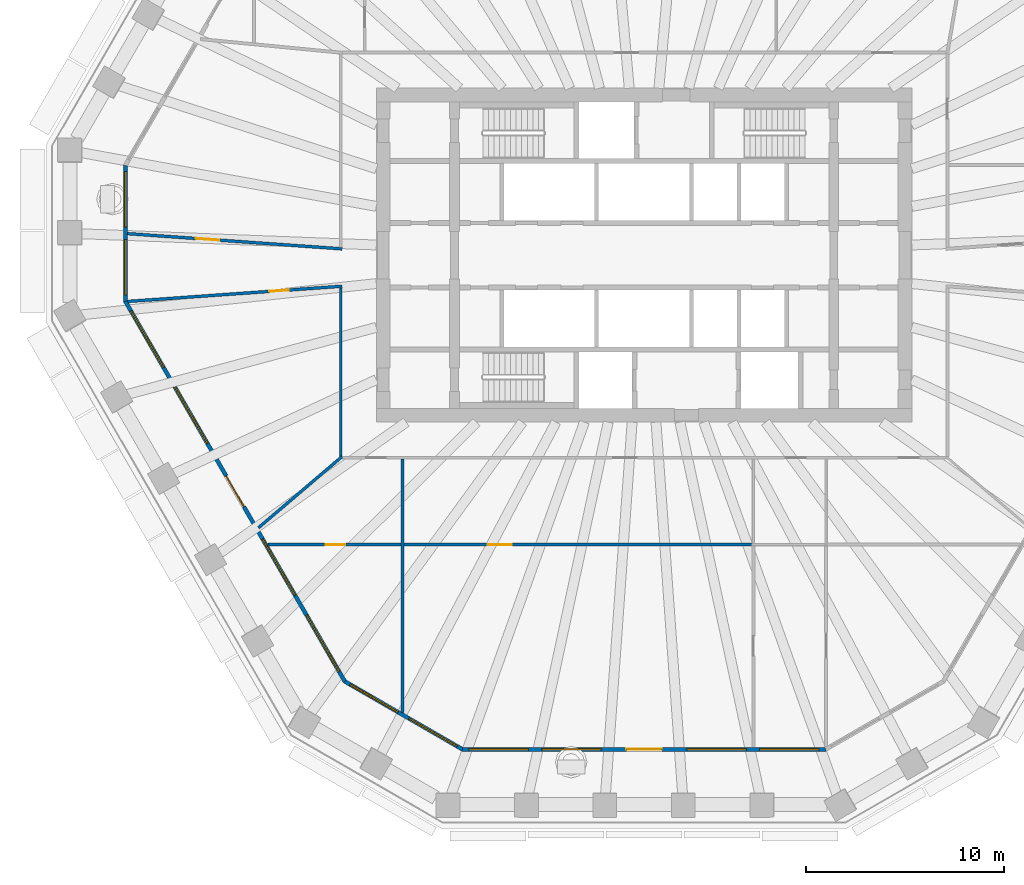
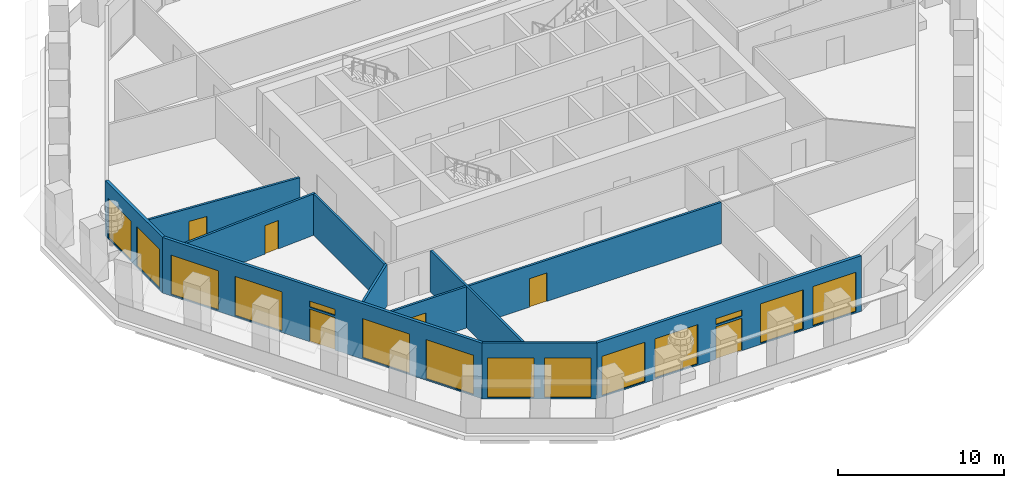
# One storey, part 3 of 12: 14 windows, 10 walls, 6 doors, 20 openings.
"""IFC4 building model written with IfcOpenShell, lengths in metres."""

from ifc_helpers import new_model, si_unit, direction, frame, frame_2d, origin, place, context, subcontext, project, spatial, polyline, rectangle, outline, extrude, material, layer, layer_set, type_object, element, fill, save


model = new_model("IFC4")

# Units and contexts
model_context = context("Model", 3, precision=1e-05, world=origin(), true_north=direction((0.0, 1.0)))
body_context = subcontext(model_context, "Body", "Model", "MODEL_VIEW")
ifc_project = project(units=[si_unit("LENGTHUNIT", "METRE"), si_unit("AREAUNIT", "SQUARE_METRE"), si_unit("VOLUMEUNIT", "CUBIC_METRE"), si_unit("PLANEANGLEUNIT", "RADIAN"), si_unit("MASSUNIT", "GRAM", prefix="KILO")], contexts=[model_context])

# Site, building, storey
site_placement = place(None, origin())
site = spatial("IfcSite", under=ifc_project, at=site_placement, CompositionType="ELEMENT")
building_placement = place(site_placement, origin())
building = spatial("IfcBuilding", under=site, at=building_placement, Name="Frailejon Research Tower", CompositionType="ELEMENT")
storey_placement = place(building_placement, frame((0.0, 0.0, 180.39990234375)))
storey = spatial("IfcBuildingStorey", under=building, at=storey_placement, Name="L39", CompositionType="ELEMENT", Elevation=180.39990234375)

# Wall
ifc_material_1 = material(Name="Gypsum board and masonry partition", Category="masonry")
ifc_layer_1 = layer(ifc_material_1, 0.14990234375)
ifc_layer_set_1 = layer_set([ifc_layer_1], Name="Corridor wall EI 60, gypsum on steel studs 150")
wall_type_1 = type_object("IfcWallType", Name="Corridor wall EI 60, gypsum on steel studs 150", PredefinedType="PARTITIONING", material=ifc_layer_set_1)
wall_1_placement = place(storey_placement, frame((-15.35009765625, -10.175048828125, 0.0), z_axis=(0.0, 0.0, 1.0), x_axis=(0.0, 1.0, 0.0)))
element("IfcWall", 1, at=wall_1_placement, inside=storey, type_object=wall_type_1, Name="T:IW:L39:004", PredefinedType="PARTITIONING", context=body_context, shape_type="SweptSolid", body=[
    extrude(rectangle(XDim=8.524169921875, YDim=0.14990234375, at=frame_2d((4.26220703125, 0.0))), origin(), (0.0, 0.0, 1.0), 3.050048828125),
])

# Wall, opening, door
wall_2_placement = place(storey_placement, frame((-26.151611328125, 1.092041015625, 0.0), z_axis=(0.0, 0.0, 1.0), x_axis=(0.997482737811, -0.070909715615, 0.0)))
wall_2 = element("IfcWall", 2, at=wall_2_placement, inside=storey, type_object=wall_type_1, Name="T:IW:L39:007", PredefinedType="PARTITIONING", context=body_context, shape_type="SweptSolid", body=[
    extrude(rectangle(XDim=10.90380859375, YDim=0.14990234375, at=frame_2d((5.451904296875, 0.0))), origin(), (0.0, 0.0, 1.0), 3.050048828125),
])
opening_1_placement = place(wall_2_placement, frame((3.47509765625, 0.0, 0.0)))
opening_1 = element("IfcOpeningElement", 3, at=opening_1_placement, cuts=wall_2, Name="Opening D1852", PredefinedType="OPENING", context=body_context, shape_type="SweptSolid", body=[
    extrude(rectangle(XDim=1.199951171875, YDim=2.10009765625, at=frame_2d((0.60009765625, 1.050048828125))), frame((0.0, 0.0849609375, 0.0), z_axis=(0.0, -1.0, 0.0), x_axis=(1.0, 0.0, 0.0)), (0.0, 0.0, 1.0), 0.169921875),
])
ifc_material_2 = material(Name="Timber door leaf", Category="wood")
door_type_1 = type_object("IfcDoorType", Name="Door laboratory, timber, vision panel 1200", OperationType="NOTDEFINED", PredefinedType="DOOR", material=ifc_material_2)
door_1_placement = place(opening_1_placement, origin())
door_1 = element("IfcDoor", 4, at=door_1_placement, inside=storey, type_object=door_type_1, Name="D1852", OperationType="DOUBLE_DOOR_SINGLE_SWING", OverallHeight=2.10009765625, OverallWidth=1.199951171875, PredefinedType="DOOR", context=body_context, shape_type="SweptSolid", body=[
    extrude(rectangle(XDim=1.199951171875, YDim=2.10009765625, at=frame_2d((0.60009765625, 1.050048828125))), frame((0.0, 0.02490234375, 0.0), z_axis=(0.0, -1.0, 0.0), x_axis=(1.0, 0.0, 0.0)), (0.0, 0.0, 1.0), 0.050048828125),
])
fill(opening_1, door_1)

wall_3_placement = place(storey_placement, frame((-26.129638671875, -2.342041015625, 0.0), z_axis=(0.0, 0.0, 1.0), x_axis=(0.997483693062, 0.07089627688, 0.0)))
wall_3 = element("IfcWall", 5, at=wall_3_placement, inside=storey, type_object=wall_type_1, Name="T:IW:L39:008", PredefinedType="PARTITIONING", context=body_context, shape_type="SweptSolid", body=[
    extrude(rectangle(XDim=10.8818359375, YDim=0.14990234375, at=frame_2d((5.44091796875, 0.0))), origin(), (0.0, 0.0, 1.0), 3.050048828125),
])
opening_2_placement = place(wall_3_placement, frame((7.18017578125, 0.0, 0.0)))
opening_2 = element("IfcOpeningElement", 6, at=opening_2_placement, cuts=wall_3, Name="Opening D1853", PredefinedType="OPENING", context=body_context, shape_type="SweptSolid", body=[
    extrude(rectangle(XDim=1.0, YDim=2.10009765625, at=frame_2d((0.5, 1.050048828125))), frame((0.0, 0.0849609375, 0.0), z_axis=(0.0, -1.0, 0.0), x_axis=(1.0, 0.0, 0.0)), (0.0, 0.0, 1.0), 0.169921875),
])
ifc_material_3 = material(Name="Timber door leaf", Category="wood")
door_type_2 = type_object("IfcDoorType", Name="Door single leaf, timber, steel frame 1000", OperationType="NOTDEFINED", PredefinedType="DOOR", material=ifc_material_3)
door_2_placement = place(opening_2_placement, origin())
door_2 = element("IfcDoor", 7, at=door_2_placement, inside=storey, type_object=door_type_2, Name="D1853", OperationType="SINGLE_SWING_LEFT", OverallHeight=2.10009765625, OverallWidth=1.0, PredefinedType="DOOR", context=body_context, shape_type="SweptSolid", body=[
    extrude(rectangle(XDim=1.0, YDim=2.10009765625, at=frame_2d((0.5, 1.050048828125))), frame((0.0, 0.02490234375, 0.0), z_axis=(0.0, -1.0, 0.0), x_axis=(1.0, 0.0, 0.0)), (0.0, 0.0, 1.0), 0.050048828125),
])
fill(opening_2, door_2)

# Wall
ifc_material_4 = material(Name="Gypsum board and masonry partition", Category="masonry")
ifc_layer_2 = layer(ifc_material_4, 0.14990234375)
ifc_layer_set_2 = layer_set([ifc_layer_2], Name="Laboratory partition, blockwork 150")
wall_type_2 = type_object("IfcWallType", Name="Laboratory partition, blockwork 150", PredefinedType="PARTITIONING", material=ifc_layer_set_2)
wall_4_placement = place(storey_placement, frame((-19.516357421875, -13.796630859375, 0.0), z_axis=(0.0, 0.0, 1.0), x_axis=(0.761464499981, 0.648206614644, 0.0)))
element("IfcWall", 8, at=wall_4_placement, inside=storey, type_object=wall_type_2, Name="T:IW:L39:019", PredefinedType="PARTITIONING", context=body_context, shape_type="SweptSolid", body=[
    extrude(rectangle(XDim=5.54638671875, YDim=0.14990234375, at=frame_2d((2.773193359375, 0.0))), origin(), (0.0, 0.0, 1.0), 3.050048828125),
])

# Wall, openings, doors
wall_5_placement = place(storey_placement, frame((-19.023681640625, -14.64990234375, 0.0), z_axis=(0.0, 0.0, 1.0), x_axis=(1.0, 0.0, 0.0)))
wall_5 = element("IfcWall", 9, at=wall_5_placement, inside=storey, type_object=wall_type_2, Name="T:IW:L39:020", PredefinedType="PARTITIONING", context=body_context, shape_type="SweptSolid", body=[
    extrude(rectangle(XDim=24.479248046875, YDim=0.14990234375, at=frame_2d((12.23974609375, 0.0))), origin(), (0.0, 0.0, 1.0), 3.050048828125),
])
opening_3_placement = place(wall_5_placement, frame((2.903076171875, 0.0, 0.0)))
opening_3 = element("IfcOpeningElement", 10, at=opening_3_placement, cuts=wall_5, Name="Opening D1855", PredefinedType="OPENING", context=body_context, shape_type="SweptSolid", body=[
    extrude(rectangle(XDim=1.0, YDim=2.10009765625, at=frame_2d((0.5, 1.050048828125))), frame((0.0, 0.0849609375, 0.0), z_axis=(0.0, -1.0, 0.0), x_axis=(1.0, 0.0, 0.0)), (0.0, 0.0, 1.0), 0.169921875),
])
opening_4_placement = place(wall_5_placement, frame((11.117919921875, 0.0, 0.0)))
opening_4 = element("IfcOpeningElement", 11, at=opening_4_placement, cuts=wall_5, Name="Opening D1857", PredefinedType="OPENING", context=body_context, shape_type="SweptSolid", body=[
    extrude(rectangle(XDim=1.199951171875, YDim=2.10009765625, at=frame_2d((0.60009765625, 1.050048828125))), frame((0.0, 0.0849609375, 0.0), z_axis=(0.0, -1.0, 0.0), x_axis=(1.0, 0.0, 0.0)), (0.0, 0.0, 1.0), 0.169921875),
])
ifc_material_5 = material(Name="Timber door leaf", Category="wood")
door_type_3 = type_object("IfcDoorType", Name="Door laboratory, timber, vision panel 1000", OperationType="NOTDEFINED", PredefinedType="DOOR", material=ifc_material_5)
door_3_placement = place(opening_3_placement, origin())
door_3 = element("IfcDoor", 12, at=door_3_placement, inside=storey, type_object=door_type_3, Name="D1855", OperationType="SINGLE_SWING_RIGHT", OverallHeight=2.10009765625, OverallWidth=1.0, PredefinedType="DOOR", context=body_context, shape_type="SweptSolid", body=[
    extrude(rectangle(XDim=1.0, YDim=2.10009765625, at=frame_2d((0.5, 1.050048828125))), frame((0.0, 0.02490234375, 0.0), z_axis=(0.0, -1.0, 0.0), x_axis=(1.0, 0.0, 0.0)), (0.0, 0.0, 1.0), 0.050048828125),
])
fill(opening_3, door_3)
door_4_placement = place(opening_4_placement, origin())
door_4 = element("IfcDoor", 13, at=door_4_placement, inside=storey, type_object=door_type_1, Name="D1857", OperationType="DOUBLE_DOOR_SINGLE_SWING", OverallHeight=2.10009765625, OverallWidth=1.199951171875, PredefinedType="DOOR", context=body_context, shape_type="SweptSolid", body=[
    extrude(rectangle(XDim=1.199951171875, YDim=2.10009765625, at=frame_2d((0.60009765625, 1.050048828125))), frame((0.0, 0.02490234375, 0.0), z_axis=(0.0, -1.0, 0.0), x_axis=(1.0, 0.0, 0.0)), (0.0, 0.0, 1.0), 0.050048828125),
])
fill(opening_4, door_4)

# Wall
wall_6_placement = place(storey_placement, frame((-12.2177734375, -23.143310546875, 0.0), z_axis=(0.0, 0.0, 1.0), x_axis=(0.0, 1.0, 0.0)))
element("IfcWall", 14, at=wall_6_placement, inside=storey, type_object=wall_type_2, Name="T:IW:L39:022", PredefinedType="PARTITIONING", context=body_context, shape_type="SweptSolid", body=[
    extrude(rectangle(XDim=12.818359375, YDim=0.14990234375, at=frame_2d((6.4091796875, 0.0))), origin(), (0.0, 0.0, 1.0), 3.050048828125),
])

# Wall, openings, windows
ifc_material_6 = material(Name="Concrete C40/50 precast window wall panel", Category="concrete")
ifc_layer_3 = layer(ifc_material_6, 0.199951171875)
ifc_layer_set_3 = layer_set([ifc_layer_3], Name="Window wall 200")
wall_type_3 = type_object("IfcWallType", Name="Window wall 200", PredefinedType="SOLIDWALL", material=ifc_layer_set_3)
wall_7_placement = place(storey_placement, frame((-26.25146484375, 4.54345703125, 0.0), z_axis=(0.0, 0.0, 1.0), x_axis=(0.0, -1.0, 0.0)))
wall_7 = element("IfcWall", 15, at=wall_7_placement, inside=storey, type_object=wall_type_3, Name="Exterior wall L39", PredefinedType="SOLIDWALL", context=body_context, shape_type="SweptSolid", body=[
    extrude(outline(polyline([(-0.02685546875, -0.10009765625), (1.1279296875, -0.10009765625), (2.282470703125, -0.10009765625), (3.437255859375, -0.10009765625), (4.592041015625, -0.10009765625), (5.74658203125, -0.10009765625), (6.9013671875, -0.10009765625), (6.84765625, 0.10009765625), (5.7109375, 0.10009765625), (4.573974609375, 0.10009765625), (3.437255859375, 0.10009765625), (2.300537109375, 0.10009765625), (1.16357421875, 0.10009765625), (0.02685546875, 0.10009765625), (-0.02685546875, -0.10009765625)])), origin(), (0.0, 0.0, 1.0), 4.10009765625),
])
opening_5_placement = place(wall_7_placement, frame((0.318603515625, 0.0, 0.10009765625)))
opening_5 = element("IfcOpeningElement", 16, at=opening_5_placement, cuts=wall_7, Name="Opening W3", PredefinedType="OPENING", context=body_context, shape_type="SweptSolid", body=[
    extrude(rectangle(XDim=2.800048828125, YDim=2.89990234375, at=frame_2d((1.39990234375, 1.449951171875))), frame((0.0, 0.10986328125, 0.0), z_axis=(0.0, -1.0, 0.0), x_axis=(1.0, 0.0, 0.0)), (0.0, 0.0, 1.0), 0.219970703125),
])
opening_6_placement = place(wall_7_placement, frame((3.756103515625, 0.0, 0.10009765625)))
opening_6 = element("IfcOpeningElement", 17, at=opening_6_placement, cuts=wall_7, Name="Opening W3", PredefinedType="OPENING", context=body_context, shape_type="SweptSolid", body=[
    extrude(rectangle(XDim=2.800048828125, YDim=2.89990234375, at=frame_2d((1.39990234375, 1.449951171875))), frame((0.0, 0.10986328125, 0.0), z_axis=(0.0, -1.0, 0.0), x_axis=(1.0, 0.0, 0.0)), (0.0, 0.0, 1.0), 0.219970703125),
])
ifc_material_7 = material(Name="Aluminium framed double glazing", Category="aluminium")
window_type_1 = type_object("IfcWindowType", Name="Window 2800x2900", PartitioningType="SINGLE_PANEL", PredefinedType="WINDOW", material=ifc_material_7)
window_1_placement = place(opening_5_placement, origin())
window_1 = element("IfcWindow", 18, at=window_1_placement, inside=storey, type_object=window_type_1, Name="Window L39", OverallHeight=2.89990234375, OverallWidth=2.800048828125, PartitioningType="SINGLE_PANEL", PredefinedType="WINDOW", context=body_context, shape_type="SweptSolid", body=[
    extrude(rectangle(XDim=2.800048828125, YDim=2.89990234375, at=frame_2d((1.39990234375, 1.449951171875))), frame((0.0, 0.030029296875, 0.0), z_axis=(0.0, -1.0, 0.0), x_axis=(1.0, 0.0, 0.0)), (0.0, 0.0, 1.0), 0.06005859375),
])
fill(opening_5, window_1)
window_2_placement = place(opening_6_placement, origin())
window_2 = element("IfcWindow", 19, at=window_2_placement, inside=storey, type_object=window_type_1, Name="Window L39", OverallHeight=2.89990234375, OverallWidth=2.800048828125, PartitioningType="SINGLE_PANEL", PredefinedType="WINDOW", context=body_context, shape_type="SweptSolid", body=[
    extrude(rectangle(XDim=2.800048828125, YDim=2.89990234375, at=frame_2d((1.39990234375, 1.449951171875))), frame((0.0, 0.030029296875, 0.0), z_axis=(0.0, -1.0, 0.0), x_axis=(1.0, 0.0, 0.0)), (0.0, 0.0, 1.0), 0.06005859375),
])
fill(opening_6, window_2)

# Wall, openings, door, windows
wall_8_placement = place(storey_placement, frame((-26.25146484375, -2.3310546875, 0.0), z_axis=(0.0, 0.0, 1.0), x_axis=(0.499999616612, -0.866025625133, 0.0)))
wall_8 = element("IfcWall", 20, at=wall_8_placement, inside=storey, type_object=wall_type_3, Name="Exterior wall L39", PredefinedType="SOLIDWALL", context=body_context, shape_type="SweptSolid", body=[
    extrude(outline(polyline([(-0.02685546875, -0.10009765625), (0.9853515625, -0.10009765625), (1.99755859375, -0.10009765625), (3.009521484375, -0.10009765625), (4.021728515625, -0.10009765625), (5.033935546875, -0.10009765625), (6.046142578125, -0.10009765625), (7.058349609375, -0.10009765625), (8.070556640625, -0.10009765625), (9.08251953125, -0.10009765625), (10.0947265625, -0.10009765625), (11.10693359375, -0.10009765625), (12.119140625, -0.10009765625), (13.13134765625, -0.10009765625), (14.143310546875, -0.10009765625), (15.155517578125, -0.10009765625), (16.167724609375, -0.10009765625), (17.179931640625, -0.10009765625), (18.192138671875, -0.10009765625), (19.204345703125, -0.10009765625), (20.21630859375, -0.10009765625), (21.228515625, -0.10009765625), (22.24072265625, -0.10009765625), (22.18701171875, 0.10009765625), (21.1796875, 0.10009765625), (20.17236328125, 0.10009765625), (19.165283203125, 0.10009765625), (18.157958984375, 0.10009765625), (17.150634765625, 0.10009765625), (16.143310546875, 0.10009765625), (15.135986328125, 0.10009765625), (14.128662109375, 0.10009765625), (13.12158203125, 0.10009765625), (12.1142578125, 0.10009765625), (11.10693359375, 0.10009765625), (10.099609375, 0.10009765625), (9.09228515625, 0.10009765625), (8.085205078125, 0.10009765625), (7.077880859375, 0.10009765625), (6.070556640625, 0.10009765625), (5.063232421875, 0.10009765625), (4.055908203125, 0.10009765625), (3.048583984375, 0.10009765625), (2.04150390625, 0.10009765625), (1.0341796875, 0.10009765625), (0.02685546875, 0.10009765625), (-0.02685546875, -0.10009765625)])), origin(), (0.0, 0.0, 1.0), 4.10009765625),
])
opening_7_placement = place(wall_8_placement, frame((0.5712890625, 0.0, 0.10009765625)))
opening_7 = element("IfcOpeningElement", 21, at=opening_7_placement, cuts=wall_8, Name="Opening W5", PredefinedType="OPENING", context=body_context, shape_type="SweptSolid", body=[
    extrude(rectangle(XDim=3.300048828125, YDim=2.89990234375, at=frame_2d((1.64990234375, 1.449951171875))), frame((0.0, 0.10986328125, 0.0), z_axis=(0.0, -1.0, 0.0), x_axis=(1.0, 0.0, 0.0)), (0.0, 0.0, 1.0), 0.219970703125),
])
opening_8_placement = place(wall_8_placement, frame((5.01416015625, 0.0, 0.10009765625)))
opening_8 = element("IfcOpeningElement", 22, at=opening_8_placement, cuts=wall_8, Name="Opening W5", PredefinedType="OPENING", context=body_context, shape_type="SweptSolid", body=[
    extrude(rectangle(XDim=3.300048828125, YDim=2.89990234375, at=frame_2d((1.64990234375, 1.449951171875))), frame((0.0, 0.10986328125, 0.0), z_axis=(0.0, -1.0, 0.0), x_axis=(1.0, 0.0, 0.0)), (0.0, 0.0, 1.0), 0.219970703125),
])
opening_9_placement = place(wall_8_placement, frame((10.206787109375, 0.0, 0.0)))
opening_9 = element("IfcOpeningElement", 23, at=opening_9_placement, cuts=wall_8, Name="Opening LG39-4", PredefinedType="OPENING", context=body_context, shape_type="SweptSolid", body=[
    extrude(rectangle(XDim=1.800048828125, YDim=2.39990234375, at=frame_2d((0.89990234375, 1.199951171875))), frame((0.0, 0.10986328125, 0.0), z_axis=(0.0, -1.0, 0.0), x_axis=(1.0, 0.0, 0.0)), (0.0, 0.0, 1.0), 0.219970703125),
])
opening_10_placement = place(wall_8_placement, frame((10.206787109375, 0.0, 2.550048828125)))
opening_10 = element("IfcOpeningElement", 24, at=opening_10_placement, cuts=wall_8, Name="Opening W1", PredefinedType="OPENING", context=body_context, shape_type="SweptSolid", body=[
    extrude(rectangle(XDim=1.800048828125, YDim=0.449951171875, at=frame_2d((0.89990234375, 0.22509765625))), frame((0.0, 0.10986328125, 0.0), z_axis=(0.0, -1.0, 0.0), x_axis=(1.0, 0.0, 0.0)), (0.0, 0.0, 1.0), 0.219970703125),
])
opening_11_placement = place(wall_8_placement, frame((13.899658203125, 0.0, 0.10009765625)))
opening_11 = element("IfcOpeningElement", 25, at=opening_11_placement, cuts=wall_8, Name="Opening W5", PredefinedType="OPENING", context=body_context, shape_type="SweptSolid", body=[
    extrude(rectangle(XDim=3.300048828125, YDim=2.89990234375, at=frame_2d((1.64990234375, 1.449951171875))), frame((0.0, 0.10986328125, 0.0), z_axis=(0.0, -1.0, 0.0), x_axis=(1.0, 0.0, 0.0)), (0.0, 0.0, 1.0), 0.219970703125),
])
opening_12_placement = place(wall_8_placement, frame((18.342529296875, 0.0, 0.10009765625)))
opening_12 = element("IfcOpeningElement", 26, at=opening_12_placement, cuts=wall_8, Name="Opening W5", PredefinedType="OPENING", context=body_context, shape_type="SweptSolid", body=[
    extrude(rectangle(XDim=3.300048828125, YDim=2.89990234375, at=frame_2d((1.64990234375, 1.449951171875))), frame((0.0, 0.10986328125, 0.0), z_axis=(0.0, -1.0, 0.0), x_axis=(1.0, 0.0, 0.0)), (0.0, 0.0, 1.0), 0.219970703125),
])
ifc_material_8 = material(Name="Aluminium framed glazed door leaf", Category="aluminium")
door_type_4 = type_object("IfcDoorType", Name="Loggia door 1800x2400", OperationType="DOUBLE_DOOR_SINGLE_SWING", PredefinedType="DOOR", material=ifc_material_8)
door_5_placement = place(opening_9_placement, origin())
door_5 = element("IfcDoor", 27, at=door_5_placement, inside=storey, type_object=door_type_4, Name="Door LG39-4", OperationType="DOUBLE_DOOR_SINGLE_SWING", OverallHeight=2.39990234375, OverallWidth=1.800048828125, PredefinedType="DOOR", context=body_context, shape_type="SweptSolid", body=[
    extrude(rectangle(XDim=1.800048828125, YDim=2.39990234375, at=frame_2d((0.89990234375, 1.199951171875))), frame((0.0, 0.02490234375, 0.0), z_axis=(0.0, -1.0, 0.0), x_axis=(1.0, 0.0, 0.0)), (0.0, 0.0, 1.0), 0.050048828125),
])
fill(opening_9, door_5)
ifc_material_9 = material(Name="Aluminium framed double glazing", Category="aluminium")
window_type_2 = type_object("IfcWindowType", Name="Window 1800x450", PartitioningType="SINGLE_PANEL", PredefinedType="WINDOW", material=ifc_material_9)
window_3_placement = place(opening_10_placement, origin())
window_3 = element("IfcWindow", 28, at=window_3_placement, inside=storey, type_object=window_type_2, Name="Window L39", OverallHeight=0.449951171875, OverallWidth=1.800048828125, PartitioningType="SINGLE_PANEL", PredefinedType="WINDOW", context=body_context, shape_type="SweptSolid", body=[
    extrude(rectangle(XDim=1.800048828125, YDim=0.449951171875, at=frame_2d((0.89990234375, 0.22509765625))), frame((0.0, 0.030029296875, 0.0), z_axis=(0.0, -1.0, 0.0), x_axis=(1.0, 0.0, 0.0)), (0.0, 0.0, 1.0), 0.06005859375),
])
fill(opening_10, window_3)
ifc_material_10 = material(Name="Aluminium framed double glazing", Category="aluminium")
window_type_3 = type_object("IfcWindowType", Name="Window 3300x2900", PartitioningType="SINGLE_PANEL", PredefinedType="WINDOW", material=ifc_material_10)
window_4_placement = place(opening_7_placement, origin())
window_4 = element("IfcWindow", 29, at=window_4_placement, inside=storey, type_object=window_type_3, Name="Window L39", OverallHeight=2.89990234375, OverallWidth=3.300048828125, PartitioningType="SINGLE_PANEL", PredefinedType="WINDOW", context=body_context, shape_type="SweptSolid", body=[
    extrude(rectangle(XDim=3.300048828125, YDim=2.89990234375, at=frame_2d((1.64990234375, 1.449951171875))), frame((0.0, 0.030029296875, 0.0), z_axis=(0.0, -1.0, 0.0), x_axis=(1.0, 0.0, 0.0)), (0.0, 0.0, 1.0), 0.06005859375),
])
fill(opening_7, window_4)
window_5_placement = place(opening_8_placement, origin())
window_5 = element("IfcWindow", 30, at=window_5_placement, inside=storey, type_object=window_type_3, Name="Window L39", OverallHeight=2.89990234375, OverallWidth=3.300048828125, PartitioningType="SINGLE_PANEL", PredefinedType="WINDOW", context=body_context, shape_type="SweptSolid", body=[
    extrude(rectangle(XDim=3.300048828125, YDim=2.89990234375, at=frame_2d((1.64990234375, 1.449951171875))), frame((0.0, 0.030029296875, 0.0), z_axis=(0.0, -1.0, 0.0), x_axis=(1.0, 0.0, 0.0)), (0.0, 0.0, 1.0), 0.06005859375),
])
fill(opening_8, window_5)
window_6_placement = place(opening_11_placement, origin())
window_6 = element("IfcWindow", 31, at=window_6_placement, inside=storey, type_object=window_type_3, Name="Window L39", OverallHeight=2.89990234375, OverallWidth=3.300048828125, PartitioningType="SINGLE_PANEL", PredefinedType="WINDOW", context=body_context, shape_type="SweptSolid", body=[
    extrude(rectangle(XDim=3.300048828125, YDim=2.89990234375, at=frame_2d((1.64990234375, 1.449951171875))), frame((0.0, 0.030029296875, 0.0), z_axis=(0.0, -1.0, 0.0), x_axis=(1.0, 0.0, 0.0)), (0.0, 0.0, 1.0), 0.06005859375),
])
fill(opening_11, window_6)
window_7_placement = place(opening_12_placement, origin())
window_7 = element("IfcWindow", 32, at=window_7_placement, inside=storey, type_object=window_type_3, Name="Window L39", OverallHeight=2.89990234375, OverallWidth=3.300048828125, PartitioningType="SINGLE_PANEL", PredefinedType="WINDOW", context=body_context, shape_type="SweptSolid", body=[
    extrude(rectangle(XDim=3.300048828125, YDim=2.89990234375, at=frame_2d((1.64990234375, 1.449951171875))), frame((0.0, 0.030029296875, 0.0), z_axis=(0.0, -1.0, 0.0), x_axis=(1.0, 0.0, 0.0)), (0.0, 0.0, 1.0), 0.06005859375),
])
fill(opening_12, window_7)

# Wall, openings, windows
wall_9_placement = place(storey_placement, frame((-15.14453125, -21.56884765625, 0.0), z_axis=(0.0, 0.0, 1.0), x_axis=(0.866029458321, -0.49999297727, 0.0)))
wall_9 = element("IfcWall", 33, at=wall_9_placement, inside=storey, type_object=wall_type_3, Name="Exterior wall L39", PredefinedType="SOLIDWALL", context=body_context, shape_type="SweptSolid", body=[
    extrude(outline(polyline([(-0.02685546875, -0.10009765625), (1.1279296875, -0.10009765625), (2.282470703125, -0.10009765625), (3.437255859375, -0.10009765625), (4.592041015625, -0.10009765625), (5.74658203125, -0.10009765625), (6.9013671875, -0.10009765625), (6.84765625, 0.10009765625), (5.7109375, 0.10009765625), (4.573974609375, 0.10009765625), (3.437255859375, 0.10009765625), (2.300537109375, 0.10009765625), (1.16357421875, 0.10009765625), (0.02685546875, 0.10009765625), (-0.02685546875, -0.10009765625)])), origin(), (0.0, 0.0, 1.0), 4.10009765625),
])
opening_13_placement = place(wall_9_placement, frame((0.318603515625, 0.0, 0.10009765625)))
opening_13 = element("IfcOpeningElement", 34, at=opening_13_placement, cuts=wall_9, Name="Opening W3", PredefinedType="OPENING", context=body_context, shape_type="SweptSolid", body=[
    extrude(rectangle(XDim=2.800048828125, YDim=2.89990234375, at=frame_2d((1.39990234375, 1.449951171875))), frame((0.0, 0.10986328125, 0.0), z_axis=(0.0, -1.0, 0.0), x_axis=(1.0, 0.0, 0.0)), (0.0, 0.0, 1.0), 0.219970703125),
])
opening_14_placement = place(wall_9_placement, frame((3.756103515625, 0.0, 0.10009765625)))
opening_14 = element("IfcOpeningElement", 35, at=opening_14_placement, cuts=wall_9, Name="Opening W3", PredefinedType="OPENING", context=body_context, shape_type="SweptSolid", body=[
    extrude(rectangle(XDim=2.800048828125, YDim=2.89990234375, at=frame_2d((1.39990234375, 1.449951171875))), frame((0.0, 0.10986328125, 0.0), z_axis=(0.0, -1.0, 0.0), x_axis=(1.0, 0.0, 0.0)), (0.0, 0.0, 1.0), 0.219970703125),
])
window_8_placement = place(opening_13_placement, origin())
window_8 = element("IfcWindow", 36, at=window_8_placement, inside=storey, type_object=window_type_1, Name="Window L39", OverallHeight=2.89990234375, OverallWidth=2.800048828125, PartitioningType="SINGLE_PANEL", PredefinedType="WINDOW", context=body_context, shape_type="SweptSolid", body=[
    extrude(rectangle(XDim=2.800048828125, YDim=2.89990234375, at=frame_2d((1.39990234375, 1.449951171875))), frame((0.0, 0.030029296875, 0.0), z_axis=(0.0, -1.0, 0.0), x_axis=(1.0, 0.0, 0.0)), (0.0, 0.0, 1.0), 0.06005859375),
])
fill(opening_13, window_8)
window_9_placement = place(opening_14_placement, origin())
window_9 = element("IfcWindow", 37, at=window_9_placement, inside=storey, type_object=window_type_1, Name="Window L39", OverallHeight=2.89990234375, OverallWidth=2.800048828125, PartitioningType="SINGLE_PANEL", PredefinedType="WINDOW", context=body_context, shape_type="SweptSolid", body=[
    extrude(rectangle(XDim=2.800048828125, YDim=2.89990234375, at=frame_2d((1.39990234375, 1.449951171875))), frame((0.0, 0.030029296875, 0.0), z_axis=(0.0, -1.0, 0.0), x_axis=(1.0, 0.0, 0.0)), (0.0, 0.0, 1.0), 0.06005859375),
])
fill(opening_14, window_9)

# Wall, openings, door, windows
wall_10_placement = place(storey_placement, frame((-9.19091796875, -25.006103515625, 0.0), z_axis=(0.0, 0.0, 1.0), x_axis=(1.0, 0.0, 0.0)))
wall_10 = element("IfcWall", 38, at=wall_10_placement, inside=storey, type_object=wall_type_3, Name="Exterior wall L39", PredefinedType="SOLIDWALL", context=body_context, shape_type="SweptSolid", body=[
    extrude(outline(polyline([(-0.02685546875, -0.10009765625), (0.997314453125, -0.10009765625), (2.021484375, -0.10009765625), (3.045654296875, -0.10009765625), (4.06982421875, -0.10009765625), (5.09423828125, -0.10009765625), (6.118408203125, -0.10009765625), (7.142578125, -0.10009765625), (8.166748046875, -0.10009765625), (9.19091796875, -0.10009765625), (10.215087890625, -0.10009765625), (11.2392578125, -0.10009765625), (12.263427734375, -0.10009765625), (13.28759765625, -0.10009765625), (14.31201171875, -0.10009765625), (15.336181640625, -0.10009765625), (16.3603515625, -0.10009765625), (17.384521484375, -0.10009765625), (18.40869140625, -0.10009765625), (18.35498046875, 0.10009765625), (17.336669921875, 0.10009765625), (16.318603515625, 0.10009765625), (15.30029296875, 0.10009765625), (14.281982421875, 0.10009765625), (13.263916015625, 0.10009765625), (12.24560546875, 0.10009765625), (11.227294921875, 0.10009765625), (10.209228515625, 0.10009765625), (9.19091796875, 0.10009765625), (8.172607421875, 0.10009765625), (7.154541015625, 0.10009765625), (6.13623046875, 0.10009765625), (5.117919921875, 0.10009765625), (4.099853515625, 0.10009765625), (3.08154296875, 0.10009765625), (2.063232421875, 0.10009765625), (1.045166015625, 0.10009765625), (0.02685546875, 0.10009765625), (-0.02685546875, -0.10009765625)])), origin(), (0.0, 0.0, 1.0), 4.10009765625),
])
opening_15_placement = place(wall_10_placement, frame((0.338134765625, 0.0, 0.10009765625)))
opening_15 = element("IfcOpeningElement", 39, at=opening_15_placement, cuts=wall_10, Name="Opening W4", PredefinedType="OPENING", context=body_context, shape_type="SweptSolid", body=[
    extrude(rectangle(XDim=3.0, YDim=2.89990234375, at=frame_2d((1.5, 1.449951171875))), frame((0.0, 0.10986328125, 0.0), z_axis=(0.0, -1.0, 0.0), x_axis=(1.0, 0.0, 0.0)), (0.0, 0.0, 1.0), 0.219970703125),
])
opening_16_placement = place(wall_10_placement, frame((4.0146484375, 0.0, 0.10009765625)))
opening_16 = element("IfcOpeningElement", 40, at=opening_16_placement, cuts=wall_10, Name="Opening W4", PredefinedType="OPENING", context=body_context, shape_type="SweptSolid", body=[
    extrude(rectangle(XDim=3.0, YDim=2.89990234375, at=frame_2d((1.5, 1.449951171875))), frame((0.0, 0.10986328125, 0.0), z_axis=(0.0, -1.0, 0.0), x_axis=(1.0, 0.0, 0.0)), (0.0, 0.0, 1.0), 0.219970703125),
])
opening_17_placement = place(wall_10_placement, frame((8.291015625, 0.0, 0.0)))
opening_17 = element("IfcOpeningElement", 41, at=opening_17_placement, cuts=wall_10, Name="Opening LG39-5", PredefinedType="OPENING", context=body_context, shape_type="SweptSolid", body=[
    extrude(rectangle(XDim=1.800048828125, YDim=2.39990234375, at=frame_2d((0.89990234375, 1.199951171875))), frame((0.0, 0.10986328125, 0.0), z_axis=(0.0, -1.0, 0.0), x_axis=(1.0, 0.0, 0.0)), (0.0, 0.0, 1.0), 0.219970703125),
])
opening_18_placement = place(wall_10_placement, frame((8.291015625, 0.0, 2.550048828125)))
opening_18 = element("IfcOpeningElement", 42, at=opening_18_placement, cuts=wall_10, Name="Opening W1", PredefinedType="OPENING", context=body_context, shape_type="SweptSolid", body=[
    extrude(rectangle(XDim=1.800048828125, YDim=0.449951171875, at=frame_2d((0.89990234375, 0.22509765625))), frame((0.0, 0.10986328125, 0.0), z_axis=(0.0, -1.0, 0.0), x_axis=(1.0, 0.0, 0.0)), (0.0, 0.0, 1.0), 0.219970703125),
])
opening_19_placement = place(wall_10_placement, frame((11.3671875, 0.0, 0.10009765625)))
opening_19 = element("IfcOpeningElement", 43, at=opening_19_placement, cuts=wall_10, Name="Opening W4", PredefinedType="OPENING", context=body_context, shape_type="SweptSolid", body=[
    extrude(rectangle(XDim=3.0, YDim=2.89990234375, at=frame_2d((1.5, 1.449951171875))), frame((0.0, 0.10986328125, 0.0), z_axis=(0.0, -1.0, 0.0), x_axis=(1.0, 0.0, 0.0)), (0.0, 0.0, 1.0), 0.219970703125),
])
opening_20_placement = place(wall_10_placement, frame((15.043701171875, 0.0, 0.10009765625)))
opening_20 = element("IfcOpeningElement", 44, at=opening_20_placement, cuts=wall_10, Name="Opening W4", PredefinedType="OPENING", context=body_context, shape_type="SweptSolid", body=[
    extrude(rectangle(XDim=3.0, YDim=2.89990234375, at=frame_2d((1.5, 1.449951171875))), frame((0.0, 0.10986328125, 0.0), z_axis=(0.0, -1.0, 0.0), x_axis=(1.0, 0.0, 0.0)), (0.0, 0.0, 1.0), 0.219970703125),
])
door_6_placement = place(opening_17_placement, origin())
door_6 = element("IfcDoor", 45, at=door_6_placement, inside=storey, type_object=door_type_4, Name="Door LG39-5", OperationType="DOUBLE_DOOR_SINGLE_SWING", OverallHeight=2.39990234375, OverallWidth=1.800048828125, PredefinedType="DOOR", context=body_context, shape_type="SweptSolid", body=[
    extrude(rectangle(XDim=1.800048828125, YDim=2.39990234375, at=frame_2d((0.89990234375, 1.199951171875))), frame((0.0, 0.02490234375, 0.0), z_axis=(0.0, -1.0, 0.0), x_axis=(1.0, 0.0, 0.0)), (0.0, 0.0, 1.0), 0.050048828125),
])
fill(opening_17, door_6)
window_10_placement = place(opening_18_placement, origin())
window_10 = element("IfcWindow", 46, at=window_10_placement, inside=storey, type_object=window_type_2, Name="Window L39", OverallHeight=0.449951171875, OverallWidth=1.800048828125, PartitioningType="SINGLE_PANEL", PredefinedType="WINDOW", context=body_context, shape_type="SweptSolid", body=[
    extrude(rectangle(XDim=1.800048828125, YDim=0.449951171875, at=frame_2d((0.89990234375, 0.22509765625))), frame((0.0, 0.030029296875, 0.0), z_axis=(0.0, -1.0, 0.0), x_axis=(1.0, 0.0, 0.0)), (0.0, 0.0, 1.0), 0.06005859375),
])
fill(opening_18, window_10)
ifc_material_11 = material(Name="Aluminium framed double glazing", Category="aluminium")
window_type_4 = type_object("IfcWindowType", Name="Window 3000x2900", PartitioningType="SINGLE_PANEL", PredefinedType="WINDOW", material=ifc_material_11)
window_11_placement = place(opening_15_placement, origin())
window_11 = element("IfcWindow", 47, at=window_11_placement, inside=storey, type_object=window_type_4, Name="Window L39", OverallHeight=2.89990234375, OverallWidth=3.0, PartitioningType="SINGLE_PANEL", PredefinedType="WINDOW", context=body_context, shape_type="SweptSolid", body=[
    extrude(rectangle(XDim=3.0, YDim=2.89990234375, at=frame_2d((1.5, 1.449951171875))), frame((0.0, 0.030029296875, 0.0), z_axis=(0.0, -1.0, 0.0), x_axis=(1.0, 0.0, 0.0)), (0.0, 0.0, 1.0), 0.06005859375),
])
fill(opening_15, window_11)
window_12_placement = place(opening_16_placement, origin())
window_12 = element("IfcWindow", 48, at=window_12_placement, inside=storey, type_object=window_type_4, Name="Window L39", OverallHeight=2.89990234375, OverallWidth=3.0, PartitioningType="SINGLE_PANEL", PredefinedType="WINDOW", context=body_context, shape_type="SweptSolid", body=[
    extrude(rectangle(XDim=3.0, YDim=2.89990234375, at=frame_2d((1.5, 1.449951171875))), frame((0.0, 0.030029296875, 0.0), z_axis=(0.0, -1.0, 0.0), x_axis=(1.0, 0.0, 0.0)), (0.0, 0.0, 1.0), 0.06005859375),
])
fill(opening_16, window_12)
window_13_placement = place(opening_19_placement, origin())
window_13 = element("IfcWindow", 49, at=window_13_placement, inside=storey, type_object=window_type_4, Name="Window L39", OverallHeight=2.89990234375, OverallWidth=3.0, PartitioningType="SINGLE_PANEL", PredefinedType="WINDOW", context=body_context, shape_type="SweptSolid", body=[
    extrude(rectangle(XDim=3.0, YDim=2.89990234375, at=frame_2d((1.5, 1.449951171875))), frame((0.0, 0.030029296875, 0.0), z_axis=(0.0, -1.0, 0.0), x_axis=(1.0, 0.0, 0.0)), (0.0, 0.0, 1.0), 0.06005859375),
])
fill(opening_19, window_13)
window_14_placement = place(opening_20_placement, origin())
window_14 = element("IfcWindow", 50, at=window_14_placement, inside=storey, type_object=window_type_4, Name="Window L39", OverallHeight=2.89990234375, OverallWidth=3.0, PartitioningType="SINGLE_PANEL", PredefinedType="WINDOW", context=body_context, shape_type="SweptSolid", body=[
    extrude(rectangle(XDim=3.0, YDim=2.89990234375, at=frame_2d((1.5, 1.449951171875))), frame((0.0, 0.030029296875, 0.0), z_axis=(0.0, -1.0, 0.0), x_axis=(1.0, 0.0, 0.0)), (0.0, 0.0, 1.0), 0.06005859375),
])
fill(opening_20, window_14)

save(model, "model.ifc")
